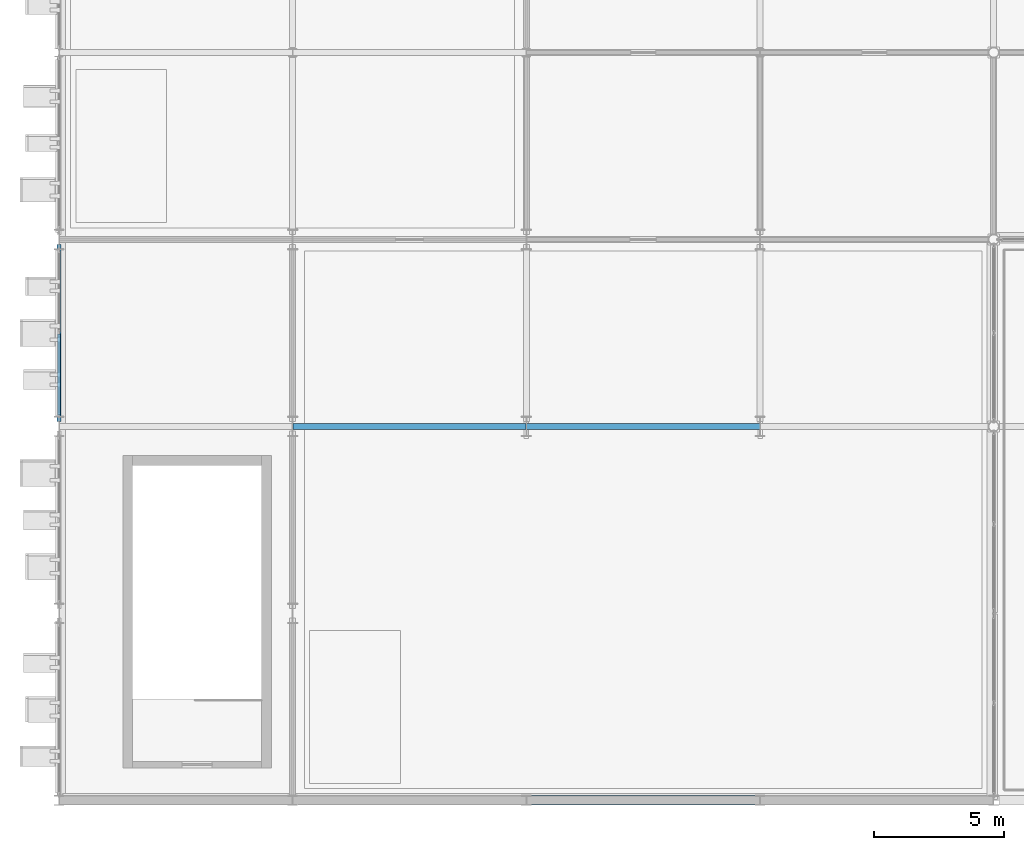
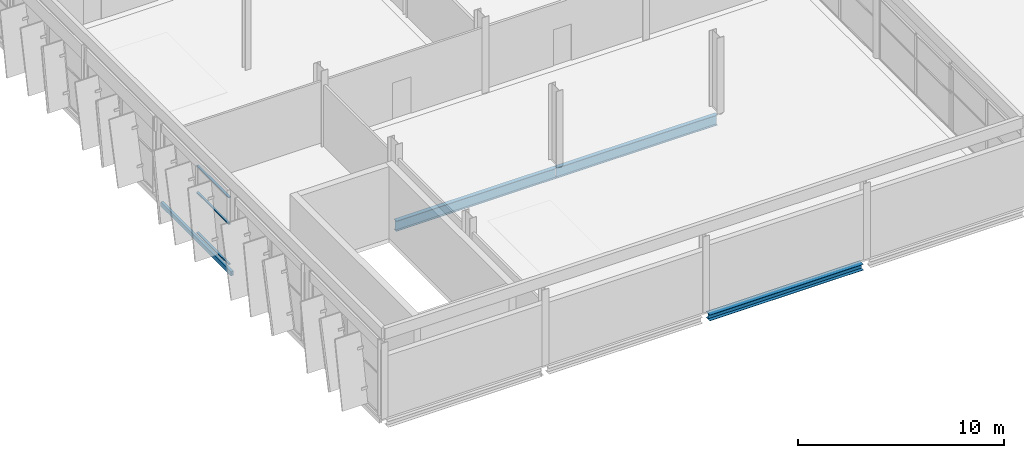
# One storey, part 8 of 52: 4 beams, 3 members, 1 element without a shape of its own.
"""IFC4 building model written with IfcOpenShell, lengths in metres."""

from ifc_helpers import new_model, si_unit, direction, frame, origin, origin_2d, place, context, subcontext, project, spatial, hollow_rectangle, i_section, extrude, material, layer, layer_set, material_profile, profile_set, type_object, element, aggregate, save


model = new_model("IFC4")

# Units and contexts
model_context = context("Model", 3, precision=1e-05, world=origin(), true_north=direction((0.0, 1.0)))
body_context = subcontext(model_context, "Body", "Model", "MODEL_VIEW")
ifc_project = project(units=[si_unit("LENGTHUNIT", "METRE"), si_unit("AREAUNIT", "SQUARE_METRE"), si_unit("VOLUMEUNIT", "CUBIC_METRE"), si_unit("PLANEANGLEUNIT", "RADIAN"), si_unit("MASSUNIT", "GRAM", prefix="KILO")], contexts=[model_context])

# Site, building, storey
site_placement = place(None, origin())
site = spatial("IfcSite", under=ifc_project, at=site_placement, CompositionType="ELEMENT")
building_placement = place(site_placement, origin())
building = spatial("IfcBuilding", under=site, at=building_placement, Name="Celestram Park Convention Centre", CompositionType="ELEMENT")
storey_placement = place(building_placement, frame((0.0, 0.0, 24.300048828125)))
storey = spatial("IfcBuildingStorey", under=building, at=storey_placement, Name="L05", CompositionType="ELEMENT", Elevation=24.300048828125)

# Curtain wall, members
ifc_material_1 = material(Name="Anodised Aluminium Alloy 6063-T6", Category="aluminium")
ifc_layer = layer(ifc_material_1, 0.179931640625)
ifc_layer_set = layer_set([ifc_layer], Name="Anodised Aluminium Alloy 6063-T6")
curtain_wall_type = type_object("IfcCurtainWallType", Name="ARC-CW-643X401", PredefinedType="NOTDEFINED", material=ifc_layer_set)
curtain_wall_placement = place(storey_placement, origin())
curtain_wall = element("IfcCurtainWall", 1, at=curtain_wall_placement, inside=storey, type_object=curtain_wall_type, Name="Unitised curtain wall CU-L05-245", PredefinedType="NOTDEFINED")
ifc_material_profile_1 = material_profile(ifc_material_1, hollow_rectangle(XDim=0.1201171875, YDim=0.06005859375, WallThickness=0.0029296875, at=origin_2d()), Name="ALU120X60X3")
ifc_profile_set_1 = profile_set([ifc_material_profile_1], Name="Anodised Aluminium Alloy 6063-T6")
member_type = type_object("IfcMemberType", Name="ARC-CWT-120", PredefinedType="USERDEFINED", material=ifc_profile_set_1)
member_1_placement = place(storey_placement, frame((36.0, 122.84912109375, 0.030029296875), z_axis=(0.0, 1.0, 0.0), x_axis=(-1.0, 0.0, 0.0)))
member_1 = element("IfcMember", 2, at=member_1_placement, type_object=member_type, Name="CW-64X40 transom 1.1", ObjectType="TRANSOM", PredefinedType="USERDEFINED", context=body_context, shape_type="SweptSolid", body=[
    extrude(hollow_rectangle(XDim=0.1201171875, YDim=0.06005859375, WallThickness=0.0029296875, at=origin_2d()), origin(), (0.0, 0.0, 1.0), 3.118408203125),
])
member_2_placement = place(storey_placement, frame((36.0, 122.84912109375, 2.406005859375), z_axis=(0.0, 1.0, 0.0), x_axis=(-1.0, 0.0, 0.0)))
member_2 = element("IfcMember", 3, at=member_2_placement, type_object=member_type, Name="CW-64X40 transom 1.2", ObjectType="TRANSOM", PredefinedType="USERDEFINED", context=body_context, shape_type="SweptSolid", body=[
    extrude(hollow_rectangle(XDim=0.1201171875, YDim=0.06005859375, WallThickness=0.0029296875, at=origin_2d()), origin(), (0.0, 0.0, 1.0), 3.118408203125),
])
member_3_placement = place(storey_placement, frame((36.0, 122.84912109375, 3.97998046875), z_axis=(0.0, 1.0, 0.0), x_axis=(-1.0, 0.0, 0.0)))
member_3 = element("IfcMember", 4, at=member_3_placement, type_object=member_type, Name="CW-64X40 transom 1.3", ObjectType="TRANSOM", PredefinedType="USERDEFINED", context=body_context, shape_type="SweptSolid", body=[
    extrude(hollow_rectangle(XDim=0.1201171875, YDim=0.06005859375, WallThickness=0.0029296875, at=origin_2d()), origin(), (0.0, 0.0, 1.0), 3.118408203125),
])
aggregate(curtain_wall, [member_1, member_2, member_3])

# Beams
ifc_material_2 = material(Name="Steel ASTM A992 Grade 50", Category="steel")
ifc_material_profile_2 = material_profile(ifc_material_2, i_section(OverallWidth=0.22900390625, OverallDepth=0.612060546875, WebThickness=0.011962890625, FlangeThickness=0.01953125, at=origin_2d()), Name="W24X84")
ifc_profile_set_2 = profile_set([ifc_material_profile_2], Name="Steel ASTM A992 Grade 50")
beam_type_1 = type_object("IfcBeamType", Name="STR-BM-W24X84", PredefinedType="BEAM", material=ifc_profile_set_2)
for number, where, z_axis, x_axis, name in (
    (5, (45.006103515625, 122.39990234375, -0.546142578125), (1.0, 0.0, 0.0), (0.0, 1.0, 0.0), "Primary X-girder BG-L05-0018"),
    (6, (54.006103515625, 122.39990234375, -0.546142578125), (1.0, 0.0, 0.0), (0.0, 1.0, 0.0), "Primary X-girder BG-L05-0032"),
):
    element("IfcBeam", number, at=place(storey_placement, frame(where, z_axis=z_axis, x_axis=x_axis)), inside=storey, type_object=beam_type_1, Name=name, PredefinedType="BEAM", context=body_context, shape_type="SweptSolid", body=[
        extrude(i_section(OverallWidth=0.22900390625, OverallDepth=0.612060546875, WebThickness=0.011962890625, FlangeThickness=0.01953125, at=origin_2d()), origin(), (0.0, 0.0, 1.0), 8.98779296875),
    ])
ifc_material_3 = material(Name="Steel ASTM A500 Grade C", Category="steel")
ifc_material_profile_3 = material_profile(ifc_material_3, hollow_rectangle(XDim=0.14990234375, YDim=0.25, WallThickness=0.010009765625, at=origin_2d()), Name="HSS250X150X10")
ifc_profile_set_3 = profile_set([ifc_material_profile_3], Name="Steel ASTM A500 Grade C")
beam_type_2 = type_object("IfcBeamType", Name="STR-SPN-HSS250X150", PredefinedType="SPANDREL", material=ifc_profile_set_3)
beam_1_placement = place(storey_placement, frame((36.0, 122.58447265625, -0.364990234375), z_axis=(0.0, 1.0, 0.0), x_axis=(-1.0, 0.0, 0.0)))
element("IfcBeam", 7, at=beam_1_placement, inside=storey, type_object=beam_type_2, Name="Primary Y-girder BG-L05-0005", PredefinedType="SPANDREL", context=body_context, shape_type="SweptSolid", body=[
    extrude(hollow_rectangle(XDim=0.14990234375, YDim=0.25, WallThickness=0.010009765625, at=origin_2d()), origin(), (0.0, 0.0, 1.0), 6.8310546875),
])
ifc_material_profile_4 = material_profile(ifc_material_2, i_section(OverallWidth=0.367919921875, OverallDepth=0.35595703125, WebThickness=0.01123046875, FlangeThickness=0.01806640625, at=origin_2d()), Name="W14X90")
ifc_profile_set_4 = profile_set([ifc_material_profile_4], Name="Steel ASTM A992 Grade 50")
beam_type_3 = type_object("IfcBeamType", Name="STR-SPN-W14X90", PredefinedType="SPANDREL", material=ifc_profile_set_4)
beam_2_placement = place(storey_placement, frame((54.197998046875, 108.0, -0.41796875), z_axis=(1.0, 0.0, 0.0), x_axis=(0.0, 1.0, 0.0)))
element("IfcBeam", 8, at=beam_2_placement, inside=storey, type_object=beam_type_3, Name="Primary X-girder BG-L05-0031", PredefinedType="SPANDREL", context=body_context, shape_type="SweptSolid", body=[
    extrude(i_section(OverallWidth=0.367919921875, OverallDepth=0.35595703125, WebThickness=0.01123046875, FlangeThickness=0.01806640625, at=origin_2d()), origin(), (0.0, 0.0, 1.0), 8.60400390625),
])

save(model, "model.ifc")
